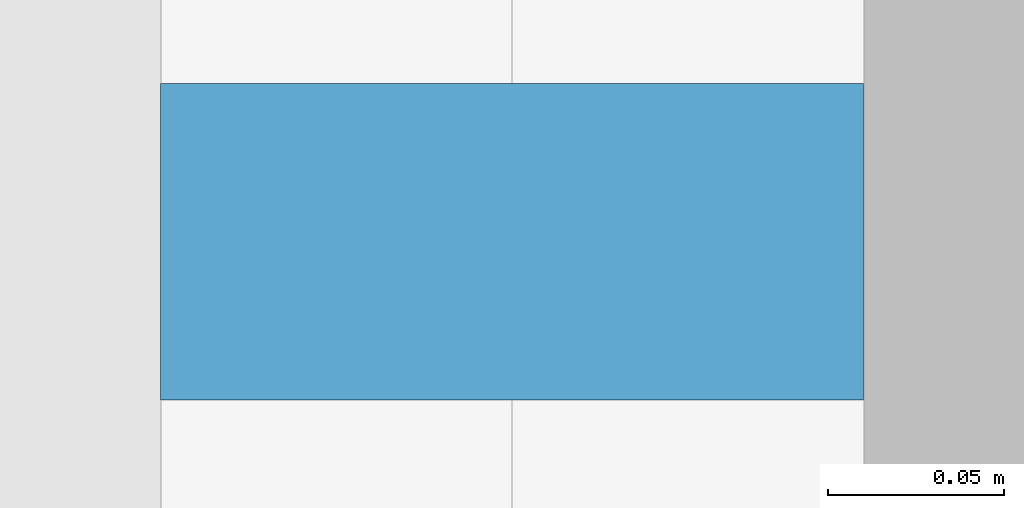
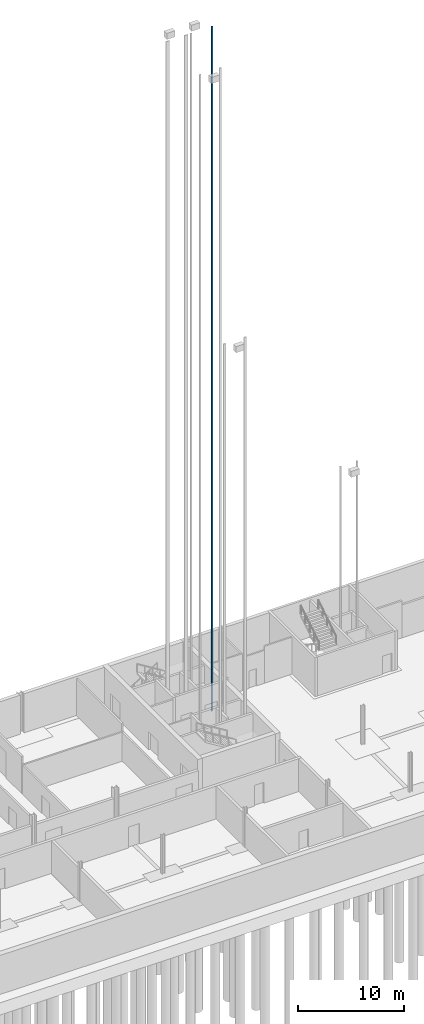
# One storey, part 33 of 41: 1 discrete accessory.
"""IFC4 building model written with IfcOpenShell, lengths in metres."""

from ifc_helpers import new_model, si_unit, direction, frame, origin, origin_2d, place, context, subcontext, project, spatial, rectangle, extrude, material, type_object, element, save


model = new_model("IFC4")

# Units and contexts
model_context = context("Model", 3, precision=1e-05, world=origin(), true_north=direction((0.0, 1.0)))
body_context = subcontext(model_context, "Body", "Model", "MODEL_VIEW")
ifc_project = project(units=[si_unit("LENGTHUNIT", "METRE"), si_unit("AREAUNIT", "SQUARE_METRE"), si_unit("VOLUMEUNIT", "CUBIC_METRE"), si_unit("PLANEANGLEUNIT", "RADIAN"), si_unit("MASSUNIT", "GRAM", prefix="KILO")], contexts=[model_context])

# Site, building, storey
site_placement = place(None, origin())
site = spatial("IfcSite", under=ifc_project, at=site_placement, CompositionType="ELEMENT")
building_placement = place(site_placement, origin())
building = spatial("IfcBuilding", under=site, at=building_placement, Name="Corbel Yard City Hall", CompositionType="ELEMENT")
storey_placement = place(building_placement, frame((0.0, 0.0, -4.5)))
storey = spatial("IfcBuildingStorey", under=building, at=storey_placement, Name="B1", CompositionType="ELEMENT", Elevation=-4.5)

# Discrete accessory
ifc_material = material(Name="Steel Grade G250", Category="steel")
discrete_accessory_type = type_object("IfcDiscreteAccessoryType", Name="LR1", PredefinedType="USERDEFINED", material=ifc_material)
discrete_accessory_placement = place(storey_placement, frame((53.39990234375, 110.85009765625, 0.0), z_axis=(0.0, 0.0, 1.0), x_axis=(1.0, 0.0, 0.0)))
element("IfcDiscreteAccessory", 1, at=discrete_accessory_placement, inside=storey, type_object=discrete_accessory_type, Name="Lift LG1 guide rail 2", ObjectType="GUIDE RAIL", PredefinedType="USERDEFINED", context=body_context, shape_type="SweptSolid", body=[
    extrude(rectangle(XDim=0.199951171875, YDim=0.090087890625, at=origin_2d()), origin(), (0.0, 0.0, 1.0), 79.0),
])

save(model, "model.ifc")
